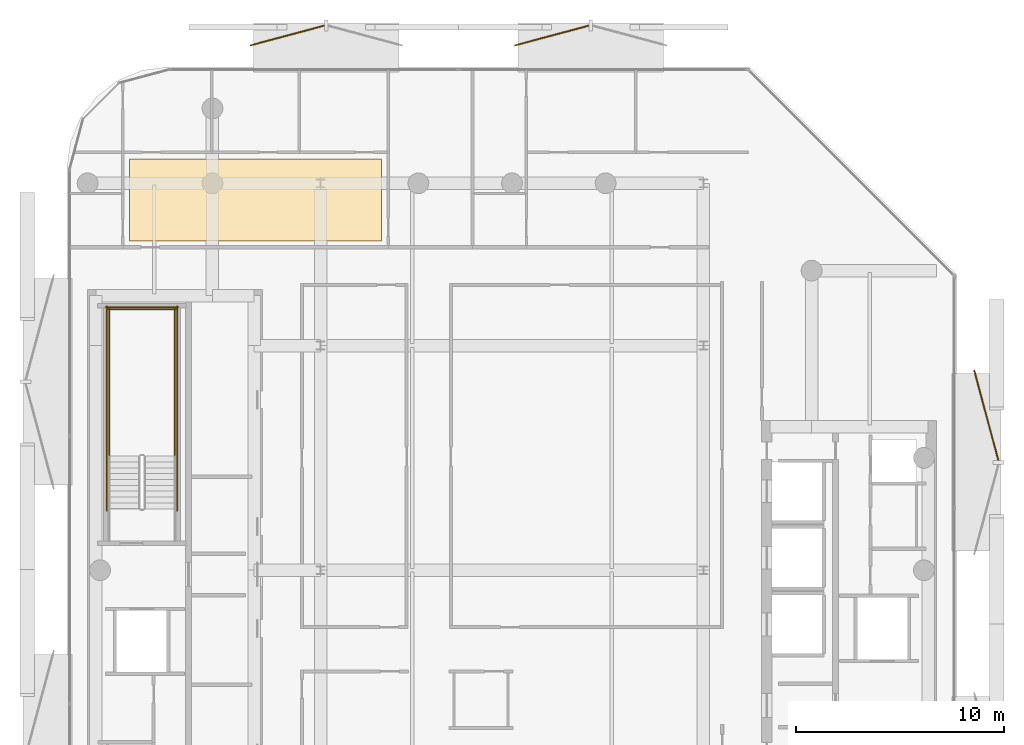
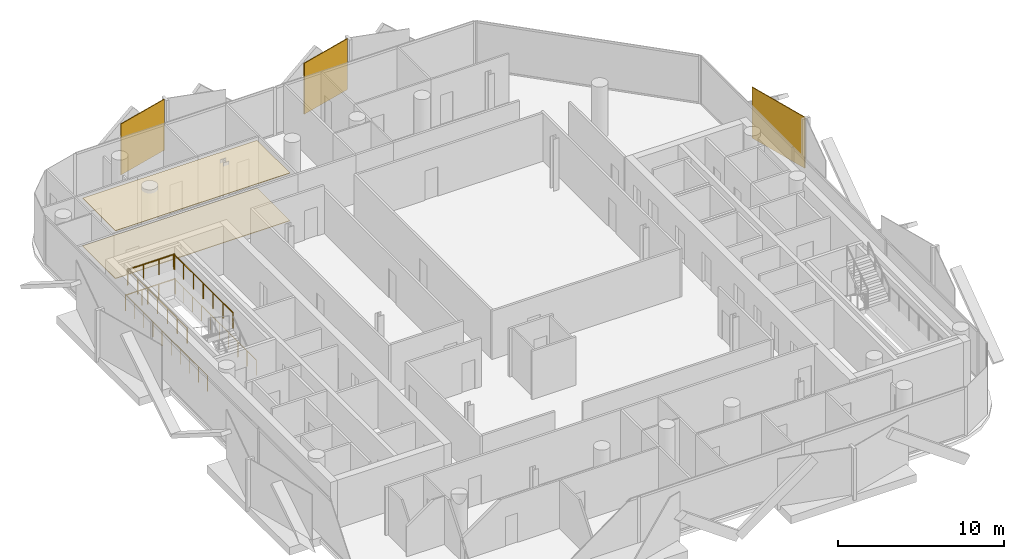
# One storey, part 16 of 16: 6 railings, 5 coverings.
"""IFC4 building model written with IfcOpenShell, lengths in metres."""

from ifc_helpers import new_model, si_unit, direction, frame, origin, origin_2d, place, context, subcontext, project, spatial, polyline, rectangle, circle, outline, extrude, material, layer, layer_set, type_object, element, save


model = new_model("IFC4")

# Units and contexts
model_context = context("Model", 3, precision=1e-05, world=origin(), true_north=direction((0.0, 1.0)))
body_context = subcontext(model_context, "Body", "Model", "MODEL_VIEW")
ifc_project = project(units=[si_unit("LENGTHUNIT", "METRE"), si_unit("AREAUNIT", "SQUARE_METRE"), si_unit("VOLUMEUNIT", "CUBIC_METRE"), si_unit("PLANEANGLEUNIT", "RADIAN"), si_unit("MASSUNIT", "GRAM", prefix="KILO")], contexts=[model_context])

# Site, building, storey
site_placement = place(None, origin())
site = spatial("IfcSite", under=ifc_project, at=site_placement, CompositionType="ELEMENT")
building_placement = place(site_placement, origin())
building = spatial("IfcBuilding", under=site, at=building_placement, Name="Khairoan Windgate Tower", CompositionType="ELEMENT")
storey_placement = place(building_placement, frame((0.0, 0.0, 277.60009765625)))
storey = spatial("IfcBuildingStorey", under=building, at=storey_placement, Name="L66", CompositionType="ELEMENT", Elevation=277.60009765625)

# Coverings
ifc_material_1 = material(Name="Engineered Teak Timber", Category="wood")
ifc_layer_1 = layer(ifc_material_1, 0.0400390625, Name="Engineered Teak Timber")
ifc_layer_set_1 = layer_set([ifc_layer_1], Name="Engineered Teak Timber")
covering_type_1 = type_object("IfcCoveringType", Name="Engineered Teak Residence Flooring", PredefinedType="FLOORING", material=ifc_layer_set_1)
covering_1_placement = place(storey_placement, origin())
element("IfcCovering", 1, at=covering_1_placement, inside=storey, type_object=covering_type_1, Name="L66 L66 Sky Penthouse 1 Apartment Living Room Finish Flooring", PredefinedType="FLOORING", context=body_context, shape_type="SweptSolid", body=[
    extrude(outline(polyline([(-18.3798828125, 19.77001953125), (-6.27001953125, 19.77001953125), (-6.27001953125, 15.820068359375), (-18.3798828125, 15.820068359375), (-18.3798828125, 19.77001953125)])), origin(), (0.0, 0.0, 1.0), 0.039794921875),
])
ifc_material_2 = material(Name="Acoustic Mineral Fibre Ceiling", Category="gypsum")
ifc_layer_2 = layer(ifc_material_2, 0.0400390625, Name="Acoustic Mineral Fibre Ceiling")
ifc_layer_set_2 = layer_set([ifc_layer_2], Name="Acoustic Mineral Fibre Ceiling")
covering_type_2 = type_object("IfcCoveringType", Name="Flush Acoustic Mineral Ceiling Panel", PredefinedType="CEILING", material=ifc_layer_set_2)
covering_2_placement = place(storey_placement, frame((0.0, 0.0, 3.5)))
element("IfcCovering", 2, at=covering_2_placement, inside=storey, type_object=covering_type_2, Name="L66 L66 Sky Penthouse 1 Apartment Living Room Acoustic Ceiling", PredefinedType="CEILING", context=body_context, shape_type="SweptSolid", body=[
    extrude(outline(polyline([(-18.3798828125, 19.77001953125), (-6.27001953125, 19.77001953125), (-6.27001953125, 15.820068359375), (-18.3798828125, 15.820068359375), (-18.3798828125, 19.77001953125)])), origin(), (0.0, 0.0, 1.0), 0.039794921875),
])
ifc_material_3 = material(Name="Anodised Bronze Aluminium 6063-T6", Category="aluminium")
ifc_layer_3 = layer(ifc_material_3, 0.054931640625, Name="Anodised Bronze Aluminium 6063-T6")
ifc_layer_set_3 = layer_set([ifc_layer_3], Name="Anodised Bronze Aluminium 6063-T6")
covering_type_3 = type_object("IfcCoveringType", Name="Perforated Bronze-Ceramic Folded Solar Screen Cladding BSC-1", PredefinedType="CLADDING", material=ifc_layer_set_3)
for number, where, z_axis, x_axis, name in (
    (3, (-10.8037109375, 25.70263671875, -0.10009765625), (0.0, 0.0, 1.0), (0.965925826289, 0.258819045103, 0.0), "L66 Folded Bronze Solar Screen Facet 458L"),
    (4, (1.91259765625, 25.70263671875, -0.10009765625), (0.0, 0.0, 1.0), (0.965925826289, 0.258819045103, 0.0), "L66 Folded Bronze Solar Screen Facet 459L"),
):
    element("IfcCovering", number, at=place(storey_placement, frame(where, z_axis=z_axis, x_axis=x_axis)), inside=storey, type_object=covering_type_3, Name=name, PredefinedType="CLADDING", context=body_context, shape_type="SweptSolid", body=[
        extrude(rectangle(XDim=3.68798828125, YDim=0.054931640625, at=origin_2d()), origin(), (0.0, 0.0, 1.0), 3.739990234375),
    ])
covering_3_placement = place(storey_placement, frame((22.797607421875, 7.447021484375, -0.10009765625), z_axis=(0.0, 0.0, 1.0), x_axis=(0.258819045103, -0.965925826289, 0.0)))
element("IfcCovering", 5, at=covering_3_placement, inside=storey, type_object=covering_type_3, Name="L66 Folded Bronze Solar Screen Facet 460L", PredefinedType="CLADDING", context=body_context, shape_type="SweptSolid", body=[
    extrude(rectangle(XDim=4.5, YDim=0.054931640625, at=origin_2d()), origin(), (0.0, 0.0, 1.0), 3.739990234375),
])

# Railings
ifc_material_4 = material(Name="Steel S355", Category="steel")
railing_type = type_object("IfcRailingType", Name="Stairwell Safety Guardrail SGR-1150", PredefinedType="GUARDRAIL", material=ifc_material_4)
for number, where, name in (
    (6, (-16.199951171875, 5.47998046875, 1.89990234375), "L66 ST2 stair guard 3"),
    (7, (-19.3701171875, 5.47998046875, 1.89990234375), "L66 ST2 stair guard 4"),
):
    element("IfcRailing", number, at=place(storey_placement, frame(where)), inside=storey, type_object=railing_type, Name=name, PredefinedType="GUARDRAIL", context=body_context, shape_type="SweptSolid", body=[
        extrude(circle(Radius=0.02392578125, at=origin_2d()), frame((0.0, 0.0, 1.1259765625), z_axis=(0.0, 1.0, 0.0), x_axis=(-1.0, 0.0, 0.0)), (0.0, 0.0, 1.0), 7.1201171875),
        extrude(circle(Radius=0.02099609375, at=origin_2d()), origin(), (0.0, 0.0, 1.0), 1.101806640625),
        extrude(circle(Radius=0.02099609375, at=origin_2d()), frame((0.0, 1.186767578125, 0.0)), (0.0, 0.0, 1.0), 1.101806640625),
        extrude(circle(Radius=0.02099609375, at=origin_2d()), frame((0.0, 2.373291015625, 0.0)), (0.0, 0.0, 1.0), 1.101806640625),
        extrude(circle(Radius=0.02099609375, at=origin_2d()), frame((0.0, 3.56005859375, 0.0)), (0.0, 0.0, 1.0), 1.101806640625),
        extrude(circle(Radius=0.02099609375, at=origin_2d()), frame((0.0, 4.746826171875, 0.0)), (0.0, 0.0, 1.0), 1.101806640625),
        extrude(circle(Radius=0.02099609375, at=origin_2d()), frame((0.0, 5.933349609375, 0.0)), (0.0, 0.0, 1.0), 1.101806640625),
        extrude(circle(Radius=0.02099609375, at=origin_2d()), frame((0.0, 7.1201171875, 0.0)), (0.0, 0.0, 1.0), 1.101806640625),
    ])
railing_1_placement = place(storey_placement, frame((-16.14990234375, 12.550048828125, 1.89990234375)))
element("IfcRailing", 8, at=railing_1_placement, inside=storey, type_object=railing_type, Name="L66 ST2 stair guard 5", PredefinedType="GUARDRAIL", context=body_context, shape_type="SweptSolid", body=[
    extrude(circle(Radius=0.02392578125, at=origin_2d()), frame((0.0, 0.0, 1.1259765625), z_axis=(-1.0, 0.0, 0.0), x_axis=(0.0, -1.0, 0.0)), (0.0, 0.0, 1.0), 3.27001953125),
    extrude(circle(Radius=0.02099609375, at=origin_2d()), origin(), (0.0, 0.0, 1.0), 1.101806640625),
    extrude(circle(Radius=0.02099609375, at=origin_2d()), frame((-1.090087890625, 0.0, 0.0)), (0.0, 0.0, 1.0), 1.101806640625),
    extrude(circle(Radius=0.02099609375, at=origin_2d()), frame((-2.179931640625, 0.0, 0.0)), (0.0, 0.0, 1.0), 1.101806640625),
    extrude(circle(Radius=0.02099609375, at=origin_2d()), frame((-3.27001953125, 0.0, 0.0)), (0.0, 0.0, 1.0), 1.101806640625),
])
for number, where, name in (
    (9, (-16.10009765625, 2.860107421875, 0.0), "L66 ST2 stair guard 10"),
    (10, (-19.469970703125, 2.860107421875, 0.0), "L66 ST2 stair guard 11"),
):
    element("IfcRailing", number, at=place(storey_placement, frame(where)), inside=storey, type_object=railing_type, Name=name, PredefinedType="GUARDRAIL", context=body_context, shape_type="SweptSolid", body=[
        extrude(circle(Radius=0.02392578125, at=origin_2d()), frame((0.0, 0.0, 1.1259765625), z_axis=(0.0, 1.0, 0.0), x_axis=(-1.0, 0.0, 0.0)), (0.0, 0.0, 1.0), 9.83984375),
        extrude(circle(Radius=0.02099609375, at=origin_2d()), origin(), (0.0, 0.0, 1.0), 1.101806640625),
        extrude(circle(Radius=0.02099609375, at=origin_2d()), frame((0.0, 1.09326171875, 0.0)), (0.0, 0.0, 1.0), 1.101806640625),
        extrude(circle(Radius=0.02099609375, at=origin_2d()), frame((0.0, 2.1865234375, 0.0)), (0.0, 0.0, 1.0), 1.101806640625),
        extrude(circle(Radius=0.02099609375, at=origin_2d()), frame((0.0, 3.280029296875, 0.0)), (0.0, 0.0, 1.0), 1.101806640625),
        extrude(circle(Radius=0.02099609375, at=origin_2d()), frame((0.0, 4.373291015625, 0.0)), (0.0, 0.0, 1.0), 1.101806640625),
        extrude(circle(Radius=0.02099609375, at=origin_2d()), frame((0.0, 5.466552734375, 0.0)), (0.0, 0.0, 1.0), 1.101806640625),
        extrude(circle(Radius=0.02099609375, at=origin_2d()), frame((0.0, 6.559814453125, 0.0)), (0.0, 0.0, 1.0), 1.101806640625),
        extrude(circle(Radius=0.02099609375, at=origin_2d()), frame((0.0, 7.6533203125, 0.0)), (0.0, 0.0, 1.0), 1.101806640625),
        extrude(circle(Radius=0.02099609375, at=origin_2d()), frame((0.0, 8.74658203125, 0.0)), (0.0, 0.0, 1.0), 1.101806640625),
        extrude(circle(Radius=0.02099609375, at=origin_2d()), frame((0.0, 9.83984375, 0.0)), (0.0, 0.0, 1.0), 1.101806640625),
    ])
railing_2_placement = place(storey_placement, frame((-16.050048828125, 12.64990234375, 0.0)))
element("IfcRailing", 11, at=railing_2_placement, inside=storey, type_object=railing_type, Name="L66 ST2 stair guard 12", PredefinedType="GUARDRAIL", context=body_context, shape_type="SweptSolid", body=[
    extrude(circle(Radius=0.02392578125, at=origin_2d()), frame((0.0, 0.0, 1.1259765625), z_axis=(-1.0, 0.0, 0.0), x_axis=(0.0, -1.0, 0.0)), (0.0, 0.0, 1.0), 3.469970703125),
    extrude(circle(Radius=0.02099609375, at=origin_2d()), origin(), (0.0, 0.0, 1.0), 1.101806640625),
    extrude(circle(Radius=0.02099609375, at=origin_2d()), frame((-1.15673828125, 0.0, 0.0)), (0.0, 0.0, 1.0), 1.101806640625),
    extrude(circle(Radius=0.02099609375, at=origin_2d()), frame((-2.313232421875, 0.0, 0.0)), (0.0, 0.0, 1.0), 1.101806640625),
    extrude(circle(Radius=0.02099609375, at=origin_2d()), frame((-3.469970703125, 0.0, 0.0)), (0.0, 0.0, 1.0), 1.101806640625),
])

save(model, "model.ifc")
